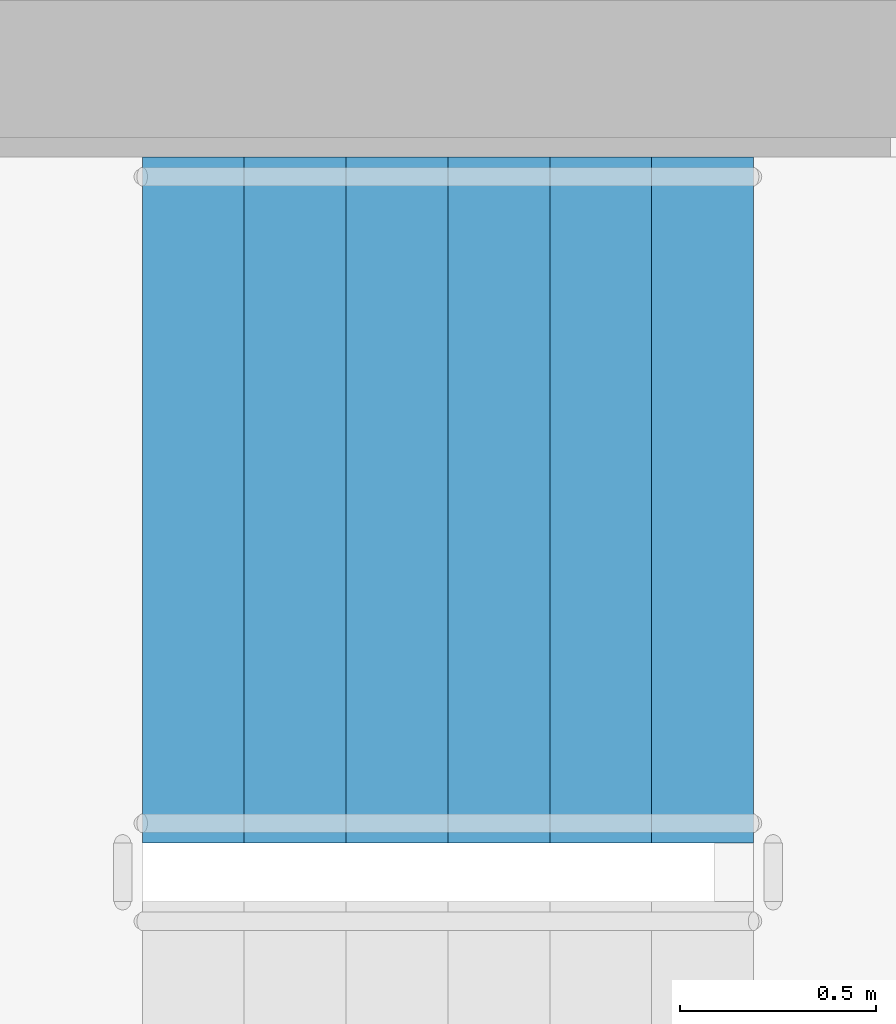
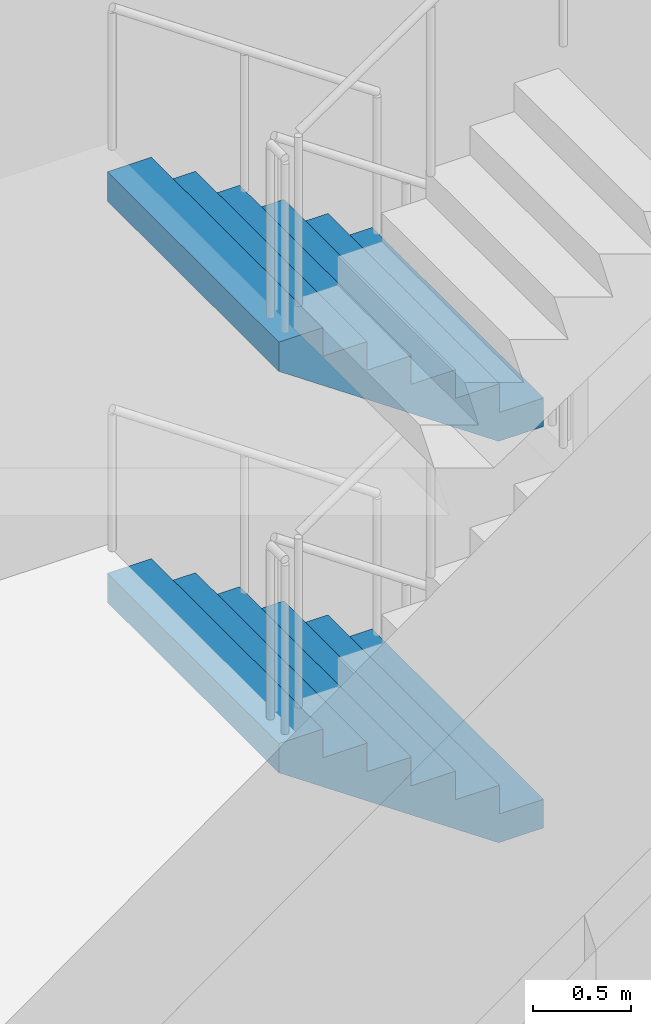
# One storey, part 19 of 34: 2 stair flights, 1 element without a shape of its own.
"""IFC4 building model written with IfcOpenShell, lengths in metres."""

from ifc_helpers import new_model, si_unit, direction, frame, origin, place, context, subcontext, project, spatial, faceted_brep, material, type_object, element, aggregate, save


model = new_model("IFC4")

# Units and contexts
model_context = context("Model", 3, precision=1e-05, world=origin(), true_north=direction((0.0, 1.0)))
body_context = subcontext(model_context, "Body", "Model", "MODEL_VIEW")
ifc_project = project(units=[si_unit("LENGTHUNIT", "METRE"), si_unit("AREAUNIT", "SQUARE_METRE"), si_unit("VOLUMEUNIT", "CUBIC_METRE"), si_unit("PLANEANGLEUNIT", "RADIAN"), si_unit("MASSUNIT", "GRAM", prefix="KILO")], contexts=[model_context])

# Site, building, storey
site_placement = place(None, origin())
site = spatial("IfcSite", under=ifc_project, at=site_placement, CompositionType="ELEMENT")
building_placement = place(site_placement, origin())
building = spatial("IfcBuilding", under=site, at=building_placement, Name="Ipe Terrace Towers", CompositionType="ELEMENT")
storey_placement = place(building_placement, frame((0.0, 0.0, 128.699951171875)))
storey = spatial("IfcBuildingStorey", under=building, at=storey_placement, Name="L35", CompositionType="ELEMENT", Elevation=128.699951171875)

# Stair, stair flights
ifc_material_1 = material(Name="Concrete C30/37", Category="concrete")
stair_type = type_object("IfcStairType", Name="Protected exit stair", PredefinedType="HALF_TURN_STAIR", material=ifc_material_1)
stair_placement = place(storey_placement, origin())
stair = element("IfcStair", 1, at=stair_placement, inside=storey, type_object=stair_type, Name="L35 Exit stair T1-C2", PredefinedType="HALF_TURN_STAIR")
ifc_material_2 = material(Name="Concrete C30/37", Category="concrete")
stair_flight_type = type_object("IfcStairFlightType", Name="Exit stair flight 1750", PredefinedType="STRAIGHT", material=ifc_material_2)
stair_flight_1_placement = place(storey_placement, frame((-45.699951171875, -2.77490234375, 0.0), z_axis=(0.0, 0.0, 1.0), x_axis=(-1.0, 0.0, 0.0)))
stair_flight_1 = element("IfcStairFlight", 2, at=stair_flight_1_placement, type_object=stair_flight_type, Name="T1-ST2 flight 1", NumberOfRisers=7, NumberOfTreads=6, PredefinedType="STRAIGHT", RiserHeight=0.178571429, TreadLength=0.26, context=body_context, shape_type="Brep", body=[
    faceted_brep([(0.264892578125, -0.875, 0.0), (1.56005859375, -0.875, 0.8896484375), (1.56005859375, -0.875, 1.071533203125), (1.300048828125, -0.875, 1.071533203125), (1.300048828125, -0.875, 0.892822265625), (1.0400390625, -0.875, 0.892822265625), (1.0400390625, -0.875, 0.71435546875), (0.780029296875, -0.875, 0.71435546875), (0.780029296875, -0.875, 0.53564453125), (0.52001953125, -0.875, 0.53564453125), (0.52001953125, -0.875, 0.357177734375), (0.260009765625, -0.875, 0.357177734375), (0.260009765625, -0.875, 0.178466796875), (0.0, -0.875, 0.178466796875), (0.0, -0.875, 0.0), (0.0, 0.875, 0.0), (0.0, 0.875, 0.178466796875), (0.260009765625, 0.875, 0.178466796875), (0.260009765625, 0.875, 0.357177734375), (0.52001953125, 0.875, 0.357177734375), (0.52001953125, 0.875, 0.53564453125), (0.780029296875, 0.875, 0.53564453125), (0.780029296875, 0.875, 0.71435546875), (1.0400390625, 0.875, 0.71435546875), (1.0400390625, 0.875, 0.892822265625), (1.300048828125, 0.875, 0.892822265625), (1.300048828125, 0.875, 1.071533203125), (1.56005859375, 0.875, 1.071533203125), (1.56005859375, 0.875, 0.8896484375), (0.264892578125, 0.875, 0.0), (0.0, -0.300048828125, 0.178466796875), (0.0, -0.1201171875, 0.178466796875), (0.0, -0.06005859375, 0.178466796875), (0.0, -0.030029296875, 0.178466796875), (0.0, -0.010009765625, 0.178466796875), (0.0, 0.0, 0.178466796875), (0.0, 0.010009765625, 0.178466796875), (0.0, 0.030029296875, 0.178466796875), (0.0, 0.06005859375, 0.178466796875), (0.0, 0.1201171875, 0.178466796875), (0.0, 0.300048828125, 0.178466796875), (0.0, 0.300048828125, 0.0), (0.0, 0.1201171875, 0.0), (0.0, 0.06005859375, 0.0), (0.0, 0.030029296875, 0.0), (0.0, 0.010009765625, 0.0), (0.0, 0.0, 0.0), (0.0, -0.010009765625, 0.0), (0.0, -0.030029296875, 0.0), (0.0, -0.06005859375, 0.0), (0.0, -0.1201171875, 0.0), (0.0, -0.300048828125, 0.0), (0.260009765625, -0.300048828125, 0.178466796875), (0.260009765625, -0.1201171875, 0.178466796875), (0.260009765625, -0.06005859375, 0.178466796875), (0.260009765625, -0.030029296875, 0.178466796875), (0.260009765625, -0.010009765625, 0.178466796875), (0.260009765625, 0.0, 0.178466796875), (0.260009765625, 0.010009765625, 0.178466796875), (0.260009765625, 0.030029296875, 0.178466796875), (0.260009765625, 0.06005859375, 0.178466796875), (0.260009765625, 0.1201171875, 0.178466796875), (0.260009765625, 0.300048828125, 0.178466796875), (0.260009765625, -0.300048828125, 0.357177734375), (0.260009765625, -0.1201171875, 0.357177734375), (0.260009765625, -0.06005859375, 0.357177734375), (0.260009765625, -0.030029296875, 0.357177734375), (0.260009765625, -0.010009765625, 0.357177734375), (0.260009765625, 0.0, 0.357177734375), (0.260009765625, 0.010009765625, 0.357177734375), (0.260009765625, 0.030029296875, 0.357177734375), (0.260009765625, 0.06005859375, 0.357177734375), (0.260009765625, 0.1201171875, 0.357177734375), (0.260009765625, 0.300048828125, 0.357177734375), (0.52001953125, -0.300048828125, 0.357177734375), (0.52001953125, -0.1201171875, 0.357177734375), (0.52001953125, -0.06005859375, 0.357177734375), (0.52001953125, -0.030029296875, 0.357177734375), (0.52001953125, -0.010009765625, 0.357177734375), (0.52001953125, 0.0, 0.357177734375), (0.52001953125, 0.010009765625, 0.357177734375), (0.52001953125, 0.030029296875, 0.357177734375), (0.52001953125, 0.06005859375, 0.357177734375), (0.52001953125, 0.1201171875, 0.357177734375), (0.52001953125, 0.300048828125, 0.357177734375), (0.52001953125, -0.300048828125, 0.53564453125), (0.52001953125, -0.1201171875, 0.53564453125), (0.52001953125, -0.06005859375, 0.53564453125), (0.52001953125, -0.030029296875, 0.53564453125), (0.52001953125, -0.010009765625, 0.53564453125), (0.52001953125, 0.0, 0.53564453125), (0.52001953125, 0.010009765625, 0.53564453125), (0.52001953125, 0.030029296875, 0.53564453125), (0.52001953125, 0.06005859375, 0.53564453125), (0.52001953125, 0.1201171875, 0.53564453125), (0.52001953125, 0.300048828125, 0.53564453125), (0.780029296875, -0.300048828125, 0.53564453125), (0.780029296875, -0.1201171875, 0.53564453125), (0.780029296875, -0.06005859375, 0.53564453125), (0.780029296875, -0.030029296875, 0.53564453125), (0.780029296875, -0.010009765625, 0.53564453125), (0.780029296875, 0.0, 0.53564453125), (0.780029296875, 0.010009765625, 0.53564453125), (0.780029296875, 0.030029296875, 0.53564453125), (0.780029296875, 0.06005859375, 0.53564453125), (0.780029296875, 0.1201171875, 0.53564453125), (0.780029296875, 0.300048828125, 0.53564453125), (0.780029296875, -0.300048828125, 0.71435546875), (0.780029296875, -0.1201171875, 0.71435546875), (0.780029296875, -0.06005859375, 0.71435546875), (0.780029296875, -0.030029296875, 0.71435546875), (0.780029296875, -0.010009765625, 0.71435546875), (0.780029296875, 0.0, 0.71435546875), (0.780029296875, 0.010009765625, 0.71435546875), (0.780029296875, 0.030029296875, 0.71435546875), (0.780029296875, 0.06005859375, 0.71435546875), (0.780029296875, 0.1201171875, 0.71435546875), (0.780029296875, 0.300048828125, 0.71435546875), (1.0400390625, -0.300048828125, 0.71435546875), (1.0400390625, -0.1201171875, 0.71435546875), (1.0400390625, -0.06005859375, 0.71435546875), (1.0400390625, -0.030029296875, 0.71435546875), (1.0400390625, -0.010009765625, 0.71435546875), (1.0400390625, 0.0, 0.71435546875), (1.0400390625, 0.010009765625, 0.71435546875), (1.0400390625, 0.030029296875, 0.71435546875), (1.0400390625, 0.06005859375, 0.71435546875), (1.0400390625, 0.1201171875, 0.71435546875), (1.0400390625, 0.300048828125, 0.71435546875), (1.0400390625, -0.300048828125, 0.892822265625), (1.0400390625, -0.1201171875, 0.892822265625), (1.0400390625, -0.06005859375, 0.892822265625), (1.0400390625, -0.030029296875, 0.892822265625), (1.0400390625, -0.010009765625, 0.892822265625), (1.0400390625, 0.0, 0.892822265625), (1.0400390625, 0.010009765625, 0.892822265625), (1.0400390625, 0.030029296875, 0.892822265625), (1.0400390625, 0.06005859375, 0.892822265625), (1.0400390625, 0.1201171875, 0.892822265625), (1.0400390625, 0.300048828125, 0.892822265625), (1.300048828125, -0.300048828125, 0.892822265625), (1.300048828125, -0.1201171875, 0.892822265625), (1.300048828125, -0.06005859375, 0.892822265625), (1.300048828125, -0.030029296875, 0.892822265625), (1.300048828125, -0.010009765625, 0.892822265625), (1.300048828125, 0.0, 0.892822265625), (1.300048828125, 0.010009765625, 0.892822265625), (1.300048828125, 0.030029296875, 0.892822265625), (1.300048828125, 0.06005859375, 0.892822265625), (1.300048828125, 0.1201171875, 0.892822265625), (1.300048828125, 0.300048828125, 0.892822265625), (1.300048828125, -0.300048828125, 1.071533203125), (1.300048828125, -0.1201171875, 1.071533203125), (1.300048828125, -0.06005859375, 1.071533203125), (1.300048828125, -0.030029296875, 1.071533203125), (1.300048828125, -0.010009765625, 1.071533203125), (1.300048828125, 0.0, 1.071533203125), (1.300048828125, 0.010009765625, 1.071533203125), (1.300048828125, 0.030029296875, 1.071533203125), (1.300048828125, 0.06005859375, 1.071533203125), (1.300048828125, 0.1201171875, 1.071533203125), (1.300048828125, 0.300048828125, 1.071533203125), (1.56005859375, -0.300048828125, 1.071533203125), (1.56005859375, -0.1201171875, 1.071533203125), (1.56005859375, -0.06005859375, 1.071533203125), (1.56005859375, -0.030029296875, 1.071533203125), (1.56005859375, -0.010009765625, 1.071533203125), (1.56005859375, 0.0, 1.071533203125), (1.56005859375, 0.010009765625, 1.071533203125), (1.56005859375, 0.030029296875, 1.071533203125), (1.56005859375, 0.06005859375, 1.071533203125), (1.56005859375, 0.1201171875, 1.071533203125), (1.56005859375, 0.300048828125, 1.071533203125), (1.56005859375, -0.300048828125, 0.8896484375), (1.56005859375, -0.1201171875, 0.8896484375), (1.56005859375, -0.06005859375, 0.8896484375), (1.56005859375, -0.030029296875, 0.8896484375), (1.56005859375, -0.010009765625, 0.8896484375), (1.56005859375, 0.0, 0.8896484375), (1.56005859375, 0.010009765625, 0.8896484375), (1.56005859375, 0.030029296875, 0.8896484375), (1.56005859375, 0.06005859375, 0.8896484375), (1.56005859375, 0.1201171875, 0.8896484375), (1.56005859375, 0.300048828125, 0.8896484375), (0.264892578125, -0.300048828125, 0.0), (0.264892578125, -0.1201171875, 0.0), (0.264892578125, -0.06005859375, 0.0), (0.264892578125, -0.030029296875, 0.0), (0.264892578125, -0.010009765625, 0.0), (0.264892578125, 0.0, 0.0), (0.264892578125, 0.010009765625, 0.0), (0.264892578125, 0.030029296875, 0.0), (0.264892578125, 0.06005859375, 0.0), (0.264892578125, 0.1201171875, 0.0), (0.264892578125, 0.300048828125, 0.0)], [[[0, 1, 2, 3, 4, 5, 6, 7, 8, 9, 10, 11, 12, 13, 14]], [[15, 16, 17, 18, 19, 20, 21, 22, 23, 24, 25, 26, 27, 28, 29]], [[13, 30, 31, 32, 33, 34, 35, 36, 37, 38, 39, 40, 16, 15, 41, 42, 43, 44, 45, 46, 47, 48, 49, 50, 51, 14]], [[12, 52, 53, 54, 55, 56, 57, 58, 59, 60, 61, 62, 17, 16, 40, 39, 38, 37, 36, 35, 34, 33, 32, 31, 30, 13]], [[11, 63, 64, 65, 66, 67, 68, 69, 70, 71, 72, 73, 18, 17, 62, 61, 60, 59, 58, 57, 56, 55, 54, 53, 52, 12]], [[10, 74, 75, 76, 77, 78, 79, 80, 81, 82, 83, 84, 19, 18, 73, 72, 71, 70, 69, 68, 67, 66, 65, 64, 63, 11]], [[9, 85, 86, 87, 88, 89, 90, 91, 92, 93, 94, 95, 20, 19, 84, 83, 82, 81, 80, 79, 78, 77, 76, 75, 74, 10]], [[8, 96, 97, 98, 99, 100, 101, 102, 103, 104, 105, 106, 21, 20, 95, 94, 93, 92, 91, 90, 89, 88, 87, 86, 85, 9]], [[7, 107, 108, 109, 110, 111, 112, 113, 114, 115, 116, 117, 22, 21, 106, 105, 104, 103, 102, 101, 100, 99, 98, 97, 96, 8]], [[6, 118, 119, 120, 121, 122, 123, 124, 125, 126, 127, 128, 23, 22, 117, 116, 115, 114, 113, 112, 111, 110, 109, 108, 107, 7]], [[5, 129, 130, 131, 132, 133, 134, 135, 136, 137, 138, 139, 24, 23, 128, 127, 126, 125, 124, 123, 122, 121, 120, 119, 118, 6]], [[4, 140, 141, 142, 143, 144, 145, 146, 147, 148, 149, 150, 25, 24, 139, 138, 137, 136, 135, 134, 133, 132, 131, 130, 129, 5]], [[3, 151, 152, 153, 154, 155, 156, 157, 158, 159, 160, 161, 26, 25, 150, 149, 148, 147, 146, 145, 144, 143, 142, 141, 140, 4]], [[2, 162, 163, 164, 165, 166, 167, 168, 169, 170, 171, 172, 27, 26, 161, 160, 159, 158, 157, 156, 155, 154, 153, 152, 151, 3]], [[1, 173, 174, 175, 176, 177, 178, 179, 180, 181, 182, 183, 28, 27, 172, 171, 170, 169, 168, 167, 166, 165, 164, 163, 162, 2]], [[0, 184, 185, 186, 187, 188, 189, 190, 191, 192, 193, 194, 29, 28, 183, 182, 181, 180, 179, 178, 177, 176, 175, 174, 173, 1]], [[14, 51, 50, 49, 48, 47, 46, 45, 44, 43, 42, 41, 15, 29, 194, 193, 192, 191, 190, 189, 188, 187, 186, 185, 184, 0]]]),
])
stair_flight_2_placement = place(storey_placement, frame((-45.699951171875, -2.77490234375, 2.5), z_axis=(0.0, 0.0, 1.0), x_axis=(-1.0, 0.0, 0.0)))
stair_flight_2 = element("IfcStairFlight", 3, at=stair_flight_2_placement, type_object=stair_flight_type, Name="T1-ST2 flight 3", NumberOfRisers=7, NumberOfTreads=6, PredefinedType="STRAIGHT", RiserHeight=0.178571429, TreadLength=0.26, context=body_context, shape_type="Brep", body=[
    faceted_brep([(0.264892578125, -0.875, 0.0), (1.56005859375, -0.875, 0.8896484375), (1.56005859375, -0.875, 1.071533203125), (1.300048828125, -0.875, 1.071533203125), (1.300048828125, -0.875, 0.892822265625), (1.0400390625, -0.875, 0.892822265625), (1.0400390625, -0.875, 0.71435546875), (0.780029296875, -0.875, 0.71435546875), (0.780029296875, -0.875, 0.53564453125), (0.52001953125, -0.875, 0.53564453125), (0.52001953125, -0.875, 0.357177734375), (0.260009765625, -0.875, 0.357177734375), (0.260009765625, -0.875, 0.178466796875), (0.0, -0.875, 0.178466796875), (0.0, -0.875, 0.0), (0.0, 0.875, 0.0), (0.0, 0.875, 0.178466796875), (0.260009765625, 0.875, 0.178466796875), (0.260009765625, 0.875, 0.357177734375), (0.52001953125, 0.875, 0.357177734375), (0.52001953125, 0.875, 0.53564453125), (0.780029296875, 0.875, 0.53564453125), (0.780029296875, 0.875, 0.71435546875), (1.0400390625, 0.875, 0.71435546875), (1.0400390625, 0.875, 0.892822265625), (1.300048828125, 0.875, 0.892822265625), (1.300048828125, 0.875, 1.071533203125), (1.56005859375, 0.875, 1.071533203125), (1.56005859375, 0.875, 0.8896484375), (0.264892578125, 0.875, 0.0), (0.0, -0.300048828125, 0.178466796875), (0.0, -0.1201171875, 0.178466796875), (0.0, -0.06005859375, 0.178466796875), (0.0, -0.030029296875, 0.178466796875), (0.0, -0.010009765625, 0.178466796875), (0.0, 0.0, 0.178466796875), (0.0, 0.010009765625, 0.178466796875), (0.0, 0.030029296875, 0.178466796875), (0.0, 0.06005859375, 0.178466796875), (0.0, 0.1201171875, 0.178466796875), (0.0, 0.300048828125, 0.178466796875), (0.0, 0.300048828125, 0.0), (0.0, 0.1201171875, 0.0), (0.0, 0.06005859375, 0.0), (0.0, 0.030029296875, 0.0), (0.0, 0.010009765625, 0.0), (0.0, 0.0, 0.0), (0.0, -0.010009765625, 0.0), (0.0, -0.030029296875, 0.0), (0.0, -0.06005859375, 0.0), (0.0, -0.1201171875, 0.0), (0.0, -0.300048828125, 0.0), (0.260009765625, -0.300048828125, 0.178466796875), (0.260009765625, -0.1201171875, 0.178466796875), (0.260009765625, -0.06005859375, 0.178466796875), (0.260009765625, -0.030029296875, 0.178466796875), (0.260009765625, -0.010009765625, 0.178466796875), (0.260009765625, 0.0, 0.178466796875), (0.260009765625, 0.010009765625, 0.178466796875), (0.260009765625, 0.030029296875, 0.178466796875), (0.260009765625, 0.06005859375, 0.178466796875), (0.260009765625, 0.1201171875, 0.178466796875), (0.260009765625, 0.300048828125, 0.178466796875), (0.260009765625, -0.300048828125, 0.357177734375), (0.260009765625, -0.1201171875, 0.357177734375), (0.260009765625, -0.06005859375, 0.357177734375), (0.260009765625, -0.030029296875, 0.357177734375), (0.260009765625, -0.010009765625, 0.357177734375), (0.260009765625, 0.0, 0.357177734375), (0.260009765625, 0.010009765625, 0.357177734375), (0.260009765625, 0.030029296875, 0.357177734375), (0.260009765625, 0.06005859375, 0.357177734375), (0.260009765625, 0.1201171875, 0.357177734375), (0.260009765625, 0.300048828125, 0.357177734375), (0.52001953125, -0.300048828125, 0.357177734375), (0.52001953125, -0.1201171875, 0.357177734375), (0.52001953125, -0.06005859375, 0.357177734375), (0.52001953125, -0.030029296875, 0.357177734375), (0.52001953125, -0.010009765625, 0.357177734375), (0.52001953125, 0.0, 0.357177734375), (0.52001953125, 0.010009765625, 0.357177734375), (0.52001953125, 0.030029296875, 0.357177734375), (0.52001953125, 0.06005859375, 0.357177734375), (0.52001953125, 0.1201171875, 0.357177734375), (0.52001953125, 0.300048828125, 0.357177734375), (0.52001953125, -0.300048828125, 0.53564453125), (0.52001953125, -0.1201171875, 0.53564453125), (0.52001953125, -0.06005859375, 0.53564453125), (0.52001953125, -0.030029296875, 0.53564453125), (0.52001953125, -0.010009765625, 0.53564453125), (0.52001953125, 0.0, 0.53564453125), (0.52001953125, 0.010009765625, 0.53564453125), (0.52001953125, 0.030029296875, 0.53564453125), (0.52001953125, 0.06005859375, 0.53564453125), (0.52001953125, 0.1201171875, 0.53564453125), (0.52001953125, 0.300048828125, 0.53564453125), (0.780029296875, -0.300048828125, 0.53564453125), (0.780029296875, -0.1201171875, 0.53564453125), (0.780029296875, -0.06005859375, 0.53564453125), (0.780029296875, -0.030029296875, 0.53564453125), (0.780029296875, -0.010009765625, 0.53564453125), (0.780029296875, 0.0, 0.53564453125), (0.780029296875, 0.010009765625, 0.53564453125), (0.780029296875, 0.030029296875, 0.53564453125), (0.780029296875, 0.06005859375, 0.53564453125), (0.780029296875, 0.1201171875, 0.53564453125), (0.780029296875, 0.300048828125, 0.53564453125), (0.780029296875, -0.300048828125, 0.71435546875), (0.780029296875, -0.1201171875, 0.71435546875), (0.780029296875, -0.06005859375, 0.71435546875), (0.780029296875, -0.030029296875, 0.71435546875), (0.780029296875, -0.010009765625, 0.71435546875), (0.780029296875, 0.0, 0.71435546875), (0.780029296875, 0.010009765625, 0.71435546875), (0.780029296875, 0.030029296875, 0.71435546875), (0.780029296875, 0.06005859375, 0.71435546875), (0.780029296875, 0.1201171875, 0.71435546875), (0.780029296875, 0.300048828125, 0.71435546875), (1.0400390625, -0.300048828125, 0.71435546875), (1.0400390625, -0.1201171875, 0.71435546875), (1.0400390625, -0.06005859375, 0.71435546875), (1.0400390625, -0.030029296875, 0.71435546875), (1.0400390625, -0.010009765625, 0.71435546875), (1.0400390625, 0.0, 0.71435546875), (1.0400390625, 0.010009765625, 0.71435546875), (1.0400390625, 0.030029296875, 0.71435546875), (1.0400390625, 0.06005859375, 0.71435546875), (1.0400390625, 0.1201171875, 0.71435546875), (1.0400390625, 0.300048828125, 0.71435546875), (1.0400390625, -0.300048828125, 0.892822265625), (1.0400390625, -0.1201171875, 0.892822265625), (1.0400390625, -0.06005859375, 0.892822265625), (1.0400390625, -0.030029296875, 0.892822265625), (1.0400390625, -0.010009765625, 0.892822265625), (1.0400390625, 0.0, 0.892822265625), (1.0400390625, 0.010009765625, 0.892822265625), (1.0400390625, 0.030029296875, 0.892822265625), (1.0400390625, 0.06005859375, 0.892822265625), (1.0400390625, 0.1201171875, 0.892822265625), (1.0400390625, 0.300048828125, 0.892822265625), (1.300048828125, -0.300048828125, 0.892822265625), (1.300048828125, -0.1201171875, 0.892822265625), (1.300048828125, -0.06005859375, 0.892822265625), (1.300048828125, -0.030029296875, 0.892822265625), (1.300048828125, -0.010009765625, 0.892822265625), (1.300048828125, 0.0, 0.892822265625), (1.300048828125, 0.010009765625, 0.892822265625), (1.300048828125, 0.030029296875, 0.892822265625), (1.300048828125, 0.06005859375, 0.892822265625), (1.300048828125, 0.1201171875, 0.892822265625), (1.300048828125, 0.300048828125, 0.892822265625), (1.300048828125, -0.300048828125, 1.071533203125), (1.300048828125, -0.1201171875, 1.071533203125), (1.300048828125, -0.06005859375, 1.071533203125), (1.300048828125, -0.030029296875, 1.071533203125), (1.300048828125, -0.010009765625, 1.071533203125), (1.300048828125, 0.0, 1.071533203125), (1.300048828125, 0.010009765625, 1.071533203125), (1.300048828125, 0.030029296875, 1.071533203125), (1.300048828125, 0.06005859375, 1.071533203125), (1.300048828125, 0.1201171875, 1.071533203125), (1.300048828125, 0.300048828125, 1.071533203125), (1.56005859375, -0.300048828125, 1.071533203125), (1.56005859375, -0.1201171875, 1.071533203125), (1.56005859375, -0.06005859375, 1.071533203125), (1.56005859375, -0.030029296875, 1.071533203125), (1.56005859375, -0.010009765625, 1.071533203125), (1.56005859375, 0.0, 1.071533203125), (1.56005859375, 0.010009765625, 1.071533203125), (1.56005859375, 0.030029296875, 1.071533203125), (1.56005859375, 0.06005859375, 1.071533203125), (1.56005859375, 0.1201171875, 1.071533203125), (1.56005859375, 0.300048828125, 1.071533203125), (1.56005859375, -0.300048828125, 0.8896484375), (1.56005859375, -0.1201171875, 0.8896484375), (1.56005859375, -0.06005859375, 0.8896484375), (1.56005859375, -0.030029296875, 0.8896484375), (1.56005859375, -0.010009765625, 0.8896484375), (1.56005859375, 0.0, 0.8896484375), (1.56005859375, 0.010009765625, 0.8896484375), (1.56005859375, 0.030029296875, 0.8896484375), (1.56005859375, 0.06005859375, 0.8896484375), (1.56005859375, 0.1201171875, 0.8896484375), (1.56005859375, 0.300048828125, 0.8896484375), (0.264892578125, -0.300048828125, 0.0), (0.264892578125, -0.1201171875, 0.0), (0.264892578125, -0.06005859375, 0.0), (0.264892578125, -0.030029296875, 0.0), (0.264892578125, -0.010009765625, 0.0), (0.264892578125, 0.0, 0.0), (0.264892578125, 0.010009765625, 0.0), (0.264892578125, 0.030029296875, 0.0), (0.264892578125, 0.06005859375, 0.0), (0.264892578125, 0.1201171875, 0.0), (0.264892578125, 0.300048828125, 0.0)], [[[0, 1, 2, 3, 4, 5, 6, 7, 8, 9, 10, 11, 12, 13, 14]], [[15, 16, 17, 18, 19, 20, 21, 22, 23, 24, 25, 26, 27, 28, 29]], [[13, 30, 31, 32, 33, 34, 35, 36, 37, 38, 39, 40, 16, 15, 41, 42, 43, 44, 45, 46, 47, 48, 49, 50, 51, 14]], [[12, 52, 53, 54, 55, 56, 57, 58, 59, 60, 61, 62, 17, 16, 40, 39, 38, 37, 36, 35, 34, 33, 32, 31, 30, 13]], [[11, 63, 64, 65, 66, 67, 68, 69, 70, 71, 72, 73, 18, 17, 62, 61, 60, 59, 58, 57, 56, 55, 54, 53, 52, 12]], [[10, 74, 75, 76, 77, 78, 79, 80, 81, 82, 83, 84, 19, 18, 73, 72, 71, 70, 69, 68, 67, 66, 65, 64, 63, 11]], [[9, 85, 86, 87, 88, 89, 90, 91, 92, 93, 94, 95, 20, 19, 84, 83, 82, 81, 80, 79, 78, 77, 76, 75, 74, 10]], [[8, 96, 97, 98, 99, 100, 101, 102, 103, 104, 105, 106, 21, 20, 95, 94, 93, 92, 91, 90, 89, 88, 87, 86, 85, 9]], [[7, 107, 108, 109, 110, 111, 112, 113, 114, 115, 116, 117, 22, 21, 106, 105, 104, 103, 102, 101, 100, 99, 98, 97, 96, 8]], [[6, 118, 119, 120, 121, 122, 123, 124, 125, 126, 127, 128, 23, 22, 117, 116, 115, 114, 113, 112, 111, 110, 109, 108, 107, 7]], [[5, 129, 130, 131, 132, 133, 134, 135, 136, 137, 138, 139, 24, 23, 128, 127, 126, 125, 124, 123, 122, 121, 120, 119, 118, 6]], [[4, 140, 141, 142, 143, 144, 145, 146, 147, 148, 149, 150, 25, 24, 139, 138, 137, 136, 135, 134, 133, 132, 131, 130, 129, 5]], [[3, 151, 152, 153, 154, 155, 156, 157, 158, 159, 160, 161, 26, 25, 150, 149, 148, 147, 146, 145, 144, 143, 142, 141, 140, 4]], [[2, 162, 163, 164, 165, 166, 167, 168, 169, 170, 171, 172, 27, 26, 161, 160, 159, 158, 157, 156, 155, 154, 153, 152, 151, 3]], [[1, 173, 174, 175, 176, 177, 178, 179, 180, 181, 182, 183, 28, 27, 172, 171, 170, 169, 168, 167, 166, 165, 164, 163, 162, 2]], [[0, 184, 185, 186, 187, 188, 189, 190, 191, 192, 193, 194, 29, 28, 183, 182, 181, 180, 179, 178, 177, 176, 175, 174, 173, 1]], [[14, 51, 50, 49, 48, 47, 46, 45, 44, 43, 42, 41, 15, 29, 194, 193, 192, 191, 190, 189, 188, 187, 186, 185, 184, 0]]]),
])
aggregate(stair, [stair_flight_1, stair_flight_2])

save(model, "model.ifc")
